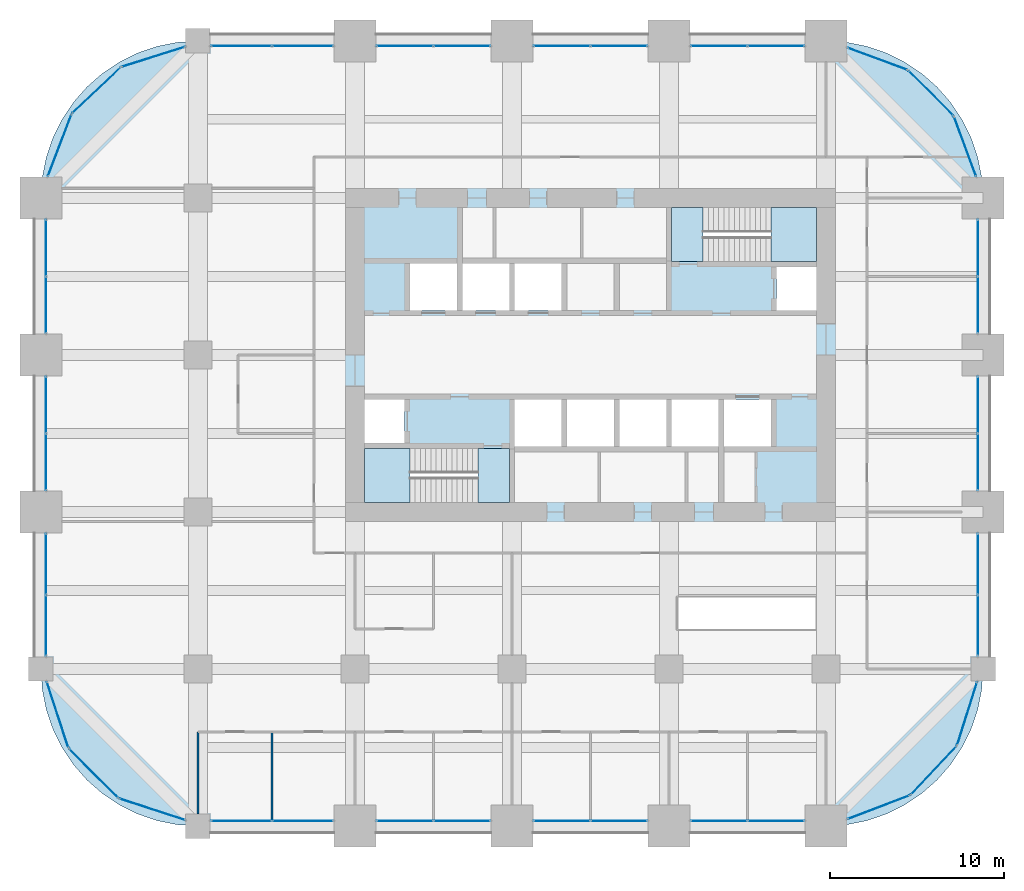
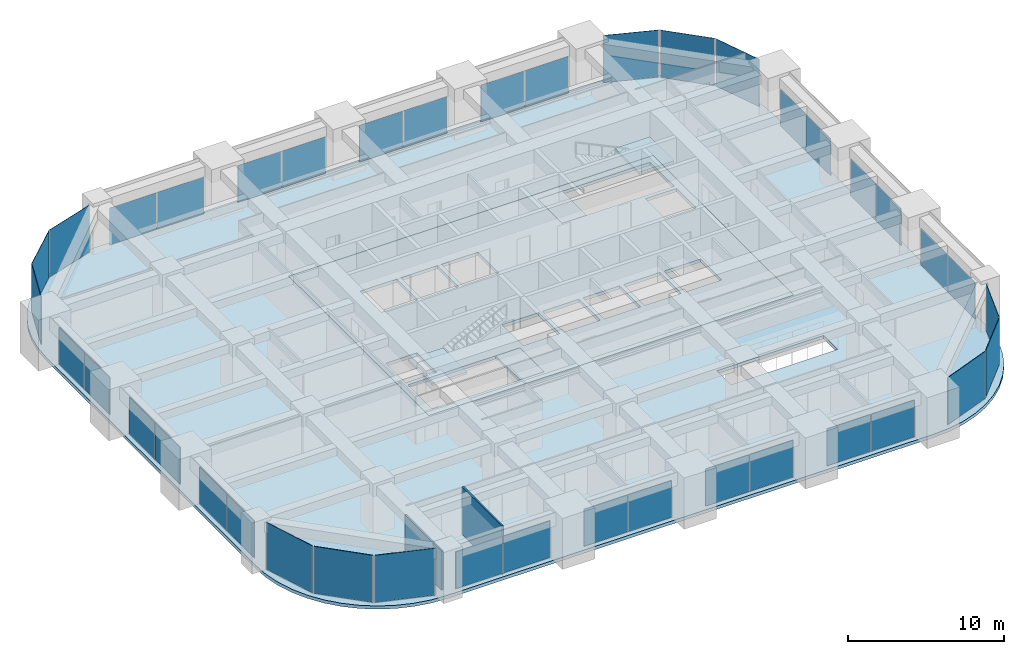
# One storey, part 28 of 33: 40 plates, 6 slabs, 2 walls, 28 elements without a shape of their own.
"""IFC4 building model written with IfcOpenShell, lengths in metres."""

from ifc_helpers import new_model, si_unit, direction, frame, frame_2d, origin, origin_2d, place, context, subcontext, project, spatial, polyline, rectangle, outline, extrude, material, layer, layer_set, type_object, element, aggregate, save


model = new_model("IFC4")

# Units and contexts
model_context = context("Model", 3, precision=1e-05, world=origin(), true_north=direction((0.0, 1.0)))
body_context = subcontext(model_context, "Body", "Model", "MODEL_VIEW")
ifc_project = project(units=[si_unit("LENGTHUNIT", "METRE"), si_unit("AREAUNIT", "SQUARE_METRE"), si_unit("VOLUMEUNIT", "CUBIC_METRE"), si_unit("PLANEANGLEUNIT", "RADIAN"), si_unit("MASSUNIT", "GRAM", prefix="KILO")], contexts=[model_context])

# Site, building, storey
site_placement = place(None, origin())
site = spatial("IfcSite", under=ifc_project, at=site_placement, CompositionType="ELEMENT")
building_placement = place(site_placement, origin())
building = spatial("IfcBuilding", under=site, at=building_placement, Name="Zorevar Civic Tower", CompositionType="ELEMENT")
storey_placement = place(building_placement, frame((0.0, 0.0, 178.199951171875)))
storey = spatial("IfcBuildingStorey", under=building, at=storey_placement, Name="L43", CompositionType="ELEMENT", Elevation=178.199951171875)

# Curtain wall, plates
ifc_material_1 = material(Name="Dark grey solar-control glass in black aluminium frame", Category="aluminium")
curtain_wall_type = type_object("IfcCurtainWallType", Name="Curtain wall CW4 high zone", PredefinedType="NOTDEFINED", material=ifc_material_1)
curtain_wall_1_placement = place(storey_placement, origin())
curtain_wall_1 = element("IfcCurtainWall", 1, at=curtain_wall_1_placement, inside=storey, type_object=curtain_wall_type, Name="CW4 L43", PredefinedType="NOTDEFINED")
ifc_material_2 = material(Name="Dark grey solar-control glass", Category="glass")
ifc_layer_1 = layer(ifc_material_2, 0.028076171875)
ifc_layer_set_1 = layer_set([ifc_layer_1], Name="CW4 panel 28")
plate_type = type_object("IfcPlateType", Name="CW4 panel 28", PredefinedType="CURTAIN_PANEL", material=ifc_layer_set_1)
plate_1_placement = place(storey_placement, frame((11.489990234375, 0.300048828125, 0.06005859375), z_axis=(0.0, 0.0, 1.0), x_axis=(1.0, 0.0, 0.0)))
plate_1 = element("IfcPlate", 2, at=plate_1_placement, type_object=plate_type, Name="CW4 panel 1.1", PredefinedType="CURTAIN_PANEL", context=body_context, shape_type="SweptSolid", body=[
    extrude(rectangle(XDim=3.4599609375, YDim=0.028076171875, at=origin_2d()), origin(), (0.0, 0.0, 1.0), 2.889892578125),
])
plate_2_placement = place(storey_placement, frame((15.010009765625, 0.300048828125, 0.06005859375), z_axis=(0.0, 0.0, 1.0), x_axis=(1.0, 0.0, 0.0)))
plate_2 = element("IfcPlate", 3, at=plate_2_placement, type_object=plate_type, Name="CW4 panel 2.1", PredefinedType="CURTAIN_PANEL", context=body_context, shape_type="SweptSolid", body=[
    extrude(rectangle(XDim=3.4599609375, YDim=0.028076171875, at=origin_2d()), origin(), (0.0, 0.0, 1.0), 2.889892578125),
])
aggregate(curtain_wall_1, [plate_1, plate_2])

curtain_wall_2_placement = place(storey_placement, origin())
curtain_wall_2 = element("IfcCurtainWall", 4, at=curtain_wall_2_placement, inside=storey, type_object=curtain_wall_type, Name="CW4 L43", PredefinedType="NOTDEFINED")
plate_3_placement = place(storey_placement, frame((11.489990234375, 44.699951171875, 0.06005859375), z_axis=(0.0, 0.0, 1.0), x_axis=(1.0, 0.0, 0.0)))
plate_3 = element("IfcPlate", 5, at=plate_3_placement, type_object=plate_type, Name="CW4 panel 1.1", PredefinedType="CURTAIN_PANEL", context=body_context, shape_type="SweptSolid", body=[
    extrude(rectangle(XDim=3.4599609375, YDim=0.028076171875, at=origin_2d()), origin(), (0.0, 0.0, 1.0), 2.889892578125),
])
plate_4_placement = place(storey_placement, frame((15.010009765625, 44.699951171875, 0.06005859375), z_axis=(0.0, 0.0, 1.0), x_axis=(1.0, 0.0, 0.0)))
plate_4 = element("IfcPlate", 6, at=plate_4_placement, type_object=plate_type, Name="CW4 panel 2.1", PredefinedType="CURTAIN_PANEL", context=body_context, shape_type="SweptSolid", body=[
    extrude(rectangle(XDim=3.4599609375, YDim=0.028076171875, at=origin_2d()), origin(), (0.0, 0.0, 1.0), 2.889892578125),
])
aggregate(curtain_wall_2, [plate_3, plate_4])

curtain_wall_3_placement = place(storey_placement, origin())
curtain_wall_3 = element("IfcCurtainWall", 7, at=curtain_wall_3_placement, inside=storey, type_object=curtain_wall_type, Name="CW4 L43", PredefinedType="NOTDEFINED")
plate_5_placement = place(storey_placement, frame((20.864990234375, 0.300048828125, 0.06005859375), z_axis=(0.0, 0.0, 1.0), x_axis=(1.0, 0.0, 0.0)))
plate_5 = element("IfcPlate", 8, at=plate_5_placement, type_object=plate_type, Name="CW4 panel 1.1", PredefinedType="CURTAIN_PANEL", context=body_context, shape_type="SweptSolid", body=[
    extrude(rectangle(XDim=3.2099609375, YDim=0.028076171875, at=origin_2d()), origin(), (0.0, 0.0, 1.0), 2.889892578125),
])
plate_6_placement = place(storey_placement, frame((24.135009765625, 0.300048828125, 0.06005859375), z_axis=(0.0, 0.0, 1.0), x_axis=(1.0, 0.0, 0.0)))
plate_6 = element("IfcPlate", 9, at=plate_6_placement, type_object=plate_type, Name="CW4 panel 2.1", PredefinedType="CURTAIN_PANEL", context=body_context, shape_type="SweptSolid", body=[
    extrude(rectangle(XDim=3.2099609375, YDim=0.028076171875, at=origin_2d()), origin(), (0.0, 0.0, 1.0), 2.889892578125),
])
aggregate(curtain_wall_3, [plate_5, plate_6])

curtain_wall_4_placement = place(storey_placement, origin())
curtain_wall_4 = element("IfcCurtainWall", 10, at=curtain_wall_4_placement, inside=storey, type_object=curtain_wall_type, Name="CW4 L43", PredefinedType="NOTDEFINED")
plate_7_placement = place(storey_placement, frame((20.864990234375, 44.699951171875, 0.06005859375), z_axis=(0.0, 0.0, 1.0), x_axis=(1.0, 0.0, 0.0)))
plate_7 = element("IfcPlate", 11, at=plate_7_placement, type_object=plate_type, Name="CW4 panel 1.1", PredefinedType="CURTAIN_PANEL", context=body_context, shape_type="SweptSolid", body=[
    extrude(rectangle(XDim=3.2099609375, YDim=0.028076171875, at=origin_2d()), origin(), (0.0, 0.0, 1.0), 2.889892578125),
])
plate_8_placement = place(storey_placement, frame((24.135009765625, 44.699951171875, 0.06005859375), z_axis=(0.0, 0.0, 1.0), x_axis=(1.0, 0.0, 0.0)))
plate_8 = element("IfcPlate", 12, at=plate_8_placement, type_object=plate_type, Name="CW4 panel 2.1", PredefinedType="CURTAIN_PANEL", context=body_context, shape_type="SweptSolid", body=[
    extrude(rectangle(XDim=3.2099609375, YDim=0.028076171875, at=origin_2d()), origin(), (0.0, 0.0, 1.0), 2.889892578125),
])
aggregate(curtain_wall_4, [plate_7, plate_8])

curtain_wall_5_placement = place(storey_placement, origin())
curtain_wall_5 = element("IfcCurtainWall", 13, at=curtain_wall_5_placement, inside=storey, type_object=curtain_wall_type, Name="CW4 L43", PredefinedType="NOTDEFINED")
plate_9_placement = place(storey_placement, frame((29.864990234375, 0.300048828125, 0.06005859375), z_axis=(0.0, 0.0, 1.0), x_axis=(1.0, 0.0, 0.0)))
plate_9 = element("IfcPlate", 14, at=plate_9_placement, type_object=plate_type, Name="CW4 panel 1.1", PredefinedType="CURTAIN_PANEL", context=body_context, shape_type="SweptSolid", body=[
    extrude(rectangle(XDim=3.2099609375, YDim=0.028076171875, at=origin_2d()), origin(), (0.0, 0.0, 1.0), 2.889892578125),
])
plate_10_placement = place(storey_placement, frame((33.135009765625, 0.300048828125, 0.06005859375), z_axis=(0.0, 0.0, 1.0), x_axis=(1.0, 0.0, 0.0)))
plate_10 = element("IfcPlate", 15, at=plate_10_placement, type_object=plate_type, Name="CW4 panel 2.1", PredefinedType="CURTAIN_PANEL", context=body_context, shape_type="SweptSolid", body=[
    extrude(rectangle(XDim=3.2099609375, YDim=0.028076171875, at=origin_2d()), origin(), (0.0, 0.0, 1.0), 2.889892578125),
])
aggregate(curtain_wall_5, [plate_9, plate_10])

curtain_wall_6_placement = place(storey_placement, origin())
curtain_wall_6 = element("IfcCurtainWall", 16, at=curtain_wall_6_placement, inside=storey, type_object=curtain_wall_type, Name="CW4 L43", PredefinedType="NOTDEFINED")
plate_11_placement = place(storey_placement, frame((29.864990234375, 44.699951171875, 0.06005859375), z_axis=(0.0, 0.0, 1.0), x_axis=(1.0, 0.0, 0.0)))
plate_11 = element("IfcPlate", 17, at=plate_11_placement, type_object=plate_type, Name="CW4 panel 1.1", PredefinedType="CURTAIN_PANEL", context=body_context, shape_type="SweptSolid", body=[
    extrude(rectangle(XDim=3.2099609375, YDim=0.028076171875, at=origin_2d()), origin(), (0.0, 0.0, 1.0), 2.889892578125),
])
plate_12_placement = place(storey_placement, frame((33.135009765625, 44.699951171875, 0.06005859375), z_axis=(0.0, 0.0, 1.0), x_axis=(1.0, 0.0, 0.0)))
plate_12 = element("IfcPlate", 18, at=plate_12_placement, type_object=plate_type, Name="CW4 panel 2.1", PredefinedType="CURTAIN_PANEL", context=body_context, shape_type="SweptSolid", body=[
    extrude(rectangle(XDim=3.2099609375, YDim=0.028076171875, at=origin_2d()), origin(), (0.0, 0.0, 1.0), 2.889892578125),
])
aggregate(curtain_wall_6, [plate_11, plate_12])

curtain_wall_7_placement = place(storey_placement, origin())
curtain_wall_7 = element("IfcCurtainWall", 19, at=curtain_wall_7_placement, inside=storey, type_object=curtain_wall_type, Name="CW4 L43", PredefinedType="NOTDEFINED")
plate_13_placement = place(storey_placement, frame((38.864990234375, 0.300048828125, 0.06005859375), z_axis=(0.0, 0.0, 1.0), x_axis=(1.0, 0.0, 0.0)))
plate_13 = element("IfcPlate", 20, at=plate_13_placement, type_object=plate_type, Name="CW4 panel 1.1", PredefinedType="CURTAIN_PANEL", context=body_context, shape_type="SweptSolid", body=[
    extrude(rectangle(XDim=3.2099609375, YDim=0.028076171875, at=origin_2d()), origin(), (0.0, 0.0, 1.0), 2.889892578125),
])
plate_14_placement = place(storey_placement, frame((42.135009765625, 0.300048828125, 0.06005859375), z_axis=(0.0, 0.0, 1.0), x_axis=(1.0, 0.0, 0.0)))
plate_14 = element("IfcPlate", 21, at=plate_14_placement, type_object=plate_type, Name="CW4 panel 2.1", PredefinedType="CURTAIN_PANEL", context=body_context, shape_type="SweptSolid", body=[
    extrude(rectangle(XDim=3.2099609375, YDim=0.028076171875, at=origin_2d()), origin(), (0.0, 0.0, 1.0), 2.889892578125),
])
aggregate(curtain_wall_7, [plate_13, plate_14])

curtain_wall_8_placement = place(storey_placement, origin())
curtain_wall_8 = element("IfcCurtainWall", 22, at=curtain_wall_8_placement, inside=storey, type_object=curtain_wall_type, Name="CW4 L43", PredefinedType="NOTDEFINED")
plate_15_placement = place(storey_placement, frame((38.864990234375, 44.699951171875, 0.06005859375), z_axis=(0.0, 0.0, 1.0), x_axis=(1.0, 0.0, 0.0)))
plate_15 = element("IfcPlate", 23, at=plate_15_placement, type_object=plate_type, Name="CW4 panel 1.1", PredefinedType="CURTAIN_PANEL", context=body_context, shape_type="SweptSolid", body=[
    extrude(rectangle(XDim=3.2099609375, YDim=0.028076171875, at=origin_2d()), origin(), (0.0, 0.0, 1.0), 2.889892578125),
])
plate_16_placement = place(storey_placement, frame((42.135009765625, 44.699951171875, 0.06005859375), z_axis=(0.0, 0.0, 1.0), x_axis=(1.0, 0.0, 0.0)))
plate_16 = element("IfcPlate", 24, at=plate_16_placement, type_object=plate_type, Name="CW4 panel 2.1", PredefinedType="CURTAIN_PANEL", context=body_context, shape_type="SweptSolid", body=[
    extrude(rectangle(XDim=3.2099609375, YDim=0.028076171875, at=origin_2d()), origin(), (0.0, 0.0, 1.0), 2.889892578125),
])
aggregate(curtain_wall_8, [plate_15, plate_16])

curtain_wall_9_placement = place(storey_placement, origin())
curtain_wall_9 = element("IfcCurtainWall", 25, at=curtain_wall_9_placement, inside=storey, type_object=curtain_wall_type, Name="CW4 L43", PredefinedType="NOTDEFINED")
plate_17_placement = place(storey_placement, frame((0.300048828125, 11.489990234375, 0.06005859375), z_axis=(0.0, 0.0, 1.0), x_axis=(0.0, 1.0, 0.0)))
plate_17 = element("IfcPlate", 26, at=plate_17_placement, type_object=plate_type, Name="CW4 panel 1.1", PredefinedType="CURTAIN_PANEL", context=body_context, shape_type="SweptSolid", body=[
    extrude(rectangle(XDim=3.4599609375, YDim=0.028076171875, at=origin_2d()), origin(), (0.0, 0.0, 1.0), 2.889892578125),
])
plate_18_placement = place(storey_placement, frame((0.300048828125, 15.010009765625, 0.06005859375), z_axis=(0.0, 0.0, 1.0), x_axis=(0.0, 1.0, 0.0)))
plate_18 = element("IfcPlate", 27, at=plate_18_placement, type_object=plate_type, Name="CW4 panel 2.1", PredefinedType="CURTAIN_PANEL", context=body_context, shape_type="SweptSolid", body=[
    extrude(rectangle(XDim=3.4599609375, YDim=0.028076171875, at=origin_2d()), origin(), (0.0, 0.0, 1.0), 2.889892578125),
])
aggregate(curtain_wall_9, [plate_17, plate_18])

curtain_wall_10_placement = place(storey_placement, origin())
curtain_wall_10 = element("IfcCurtainWall", 28, at=curtain_wall_10_placement, inside=storey, type_object=curtain_wall_type, Name="CW4 L43", PredefinedType="NOTDEFINED")
plate_19_placement = place(storey_placement, frame((53.699951171875, 11.489990234375, 0.06005859375), z_axis=(0.0, 0.0, 1.0), x_axis=(0.0, 1.0, 0.0)))
plate_19 = element("IfcPlate", 29, at=plate_19_placement, type_object=plate_type, Name="CW4 panel 1.1", PredefinedType="CURTAIN_PANEL", context=body_context, shape_type="SweptSolid", body=[
    extrude(rectangle(XDim=3.4599609375, YDim=0.028076171875, at=origin_2d()), origin(), (0.0, 0.0, 1.0), 2.889892578125),
])
plate_20_placement = place(storey_placement, frame((53.699951171875, 15.010009765625, 0.06005859375), z_axis=(0.0, 0.0, 1.0), x_axis=(0.0, 1.0, 0.0)))
plate_20 = element("IfcPlate", 30, at=plate_20_placement, type_object=plate_type, Name="CW4 panel 2.1", PredefinedType="CURTAIN_PANEL", context=body_context, shape_type="SweptSolid", body=[
    extrude(rectangle(XDim=3.4599609375, YDim=0.028076171875, at=origin_2d()), origin(), (0.0, 0.0, 1.0), 2.889892578125),
])
aggregate(curtain_wall_10, [plate_19, plate_20])

curtain_wall_11_placement = place(storey_placement, origin())
curtain_wall_11 = element("IfcCurtainWall", 31, at=curtain_wall_11_placement, inside=storey, type_object=curtain_wall_type, Name="CW4 L43", PredefinedType="NOTDEFINED")
plate_21_placement = place(storey_placement, frame((0.300048828125, 20.864990234375, 0.06005859375), z_axis=(0.0, 0.0, 1.0), x_axis=(0.0, 1.0, 0.0)))
plate_21 = element("IfcPlate", 32, at=plate_21_placement, type_object=plate_type, Name="CW4 panel 1.1", PredefinedType="CURTAIN_PANEL", context=body_context, shape_type="SweptSolid", body=[
    extrude(rectangle(XDim=3.2099609375, YDim=0.028076171875, at=origin_2d()), origin(), (0.0, 0.0, 1.0), 2.889892578125),
])
plate_22_placement = place(storey_placement, frame((0.300048828125, 24.135009765625, 0.06005859375), z_axis=(0.0, 0.0, 1.0), x_axis=(0.0, 1.0, 0.0)))
plate_22 = element("IfcPlate", 33, at=plate_22_placement, type_object=plate_type, Name="CW4 panel 2.1", PredefinedType="CURTAIN_PANEL", context=body_context, shape_type="SweptSolid", body=[
    extrude(rectangle(XDim=3.2099609375, YDim=0.028076171875, at=origin_2d()), origin(), (0.0, 0.0, 1.0), 2.889892578125),
])
aggregate(curtain_wall_11, [plate_21, plate_22])

curtain_wall_12_placement = place(storey_placement, origin())
curtain_wall_12 = element("IfcCurtainWall", 34, at=curtain_wall_12_placement, inside=storey, type_object=curtain_wall_type, Name="CW4 L43", PredefinedType="NOTDEFINED")
plate_23_placement = place(storey_placement, frame((53.699951171875, 20.864990234375, 0.06005859375), z_axis=(0.0, 0.0, 1.0), x_axis=(0.0, 1.0, 0.0)))
plate_23 = element("IfcPlate", 35, at=plate_23_placement, type_object=plate_type, Name="CW4 panel 1.1", PredefinedType="CURTAIN_PANEL", context=body_context, shape_type="SweptSolid", body=[
    extrude(rectangle(XDim=3.2099609375, YDim=0.028076171875, at=origin_2d()), origin(), (0.0, 0.0, 1.0), 2.889892578125),
])
plate_24_placement = place(storey_placement, frame((53.699951171875, 24.135009765625, 0.06005859375), z_axis=(0.0, 0.0, 1.0), x_axis=(0.0, 1.0, 0.0)))
plate_24 = element("IfcPlate", 36, at=plate_24_placement, type_object=plate_type, Name="CW4 panel 2.1", PredefinedType="CURTAIN_PANEL", context=body_context, shape_type="SweptSolid", body=[
    extrude(rectangle(XDim=3.2099609375, YDim=0.028076171875, at=origin_2d()), origin(), (0.0, 0.0, 1.0), 2.889892578125),
])
aggregate(curtain_wall_12, [plate_23, plate_24])

curtain_wall_13_placement = place(storey_placement, origin())
curtain_wall_13 = element("IfcCurtainWall", 37, at=curtain_wall_13_placement, inside=storey, type_object=curtain_wall_type, Name="CW4 L43", PredefinedType="NOTDEFINED")
plate_25_placement = place(storey_placement, frame((0.300048828125, 29.864990234375, 0.06005859375), z_axis=(0.0, 0.0, 1.0), x_axis=(0.0, 1.0, 0.0)))
plate_25 = element("IfcPlate", 38, at=plate_25_placement, type_object=plate_type, Name="CW4 panel 1.1", PredefinedType="CURTAIN_PANEL", context=body_context, shape_type="SweptSolid", body=[
    extrude(rectangle(XDim=3.2099609375, YDim=0.028076171875, at=origin_2d()), origin(), (0.0, 0.0, 1.0), 2.889892578125),
])
plate_26_placement = place(storey_placement, frame((0.300048828125, 33.135009765625, 0.06005859375), z_axis=(0.0, 0.0, 1.0), x_axis=(0.0, 1.0, 0.0)))
plate_26 = element("IfcPlate", 39, at=plate_26_placement, type_object=plate_type, Name="CW4 panel 2.1", PredefinedType="CURTAIN_PANEL", context=body_context, shape_type="SweptSolid", body=[
    extrude(rectangle(XDim=3.2099609375, YDim=0.028076171875, at=origin_2d()), origin(), (0.0, 0.0, 1.0), 2.889892578125),
])
aggregate(curtain_wall_13, [plate_25, plate_26])

curtain_wall_14_placement = place(storey_placement, origin())
curtain_wall_14 = element("IfcCurtainWall", 40, at=curtain_wall_14_placement, inside=storey, type_object=curtain_wall_type, Name="CW4 L43", PredefinedType="NOTDEFINED")
plate_27_placement = place(storey_placement, frame((53.699951171875, 29.864990234375, 0.06005859375), z_axis=(0.0, 0.0, 1.0), x_axis=(0.0, 1.0, 0.0)))
plate_27 = element("IfcPlate", 41, at=plate_27_placement, type_object=plate_type, Name="CW4 panel 1.1", PredefinedType="CURTAIN_PANEL", context=body_context, shape_type="SweptSolid", body=[
    extrude(rectangle(XDim=3.2099609375, YDim=0.028076171875, at=origin_2d()), origin(), (0.0, 0.0, 1.0), 2.889892578125),
])
plate_28_placement = place(storey_placement, frame((53.699951171875, 33.135009765625, 0.06005859375), z_axis=(0.0, 0.0, 1.0), x_axis=(0.0, 1.0, 0.0)))
plate_28 = element("IfcPlate", 42, at=plate_28_placement, type_object=plate_type, Name="CW4 panel 2.1", PredefinedType="CURTAIN_PANEL", context=body_context, shape_type="SweptSolid", body=[
    extrude(rectangle(XDim=3.2099609375, YDim=0.028076171875, at=origin_2d()), origin(), (0.0, 0.0, 1.0), 2.889892578125),
])
aggregate(curtain_wall_14, [plate_27, plate_28])

# Curtain wall, plate
curtain_wall_15_placement = place(storey_placement, origin())
curtain_wall_15 = element("IfcCurtainWall", 43, at=curtain_wall_15_placement, inside=storey, type_object=curtain_wall_type, Name="CW4 L43", PredefinedType="NOTDEFINED")
plate_29_placement = place(storey_placement, frame((48.0166015625, 1.07470703125, 0.06005859375), z_axis=(0.0, 0.0, 1.0), x_axis=(0.93458842801, 0.355730895803, 0.0)))
plate_29 = element("IfcPlate", 44, at=plate_29_placement, type_object=plate_type, Name="CW4 panel 1.1", PredefinedType="CURTAIN_PANEL", context=body_context, shape_type="SweptSolid", body=[
    extrude(rectangle(XDim=3.767333984375, YDim=0.028076171875, at=origin_2d()), origin(), (0.0, 0.0, 1.0), 3.68994140625),
])
aggregate(curtain_wall_15, [plate_29])

curtain_wall_16_placement = place(storey_placement, origin())
curtain_wall_16 = element("IfcCurtainWall", 45, at=curtain_wall_16_placement, inside=storey, type_object=curtain_wall_type, Name="CW4 L43", PredefinedType="NOTDEFINED")
plate_30_placement = place(storey_placement, frame((51.167236328125, 3.179443359375, 0.06005859375), z_axis=(0.0, 0.0, 1.0), x_axis=(0.686377907265, 0.727245053898, 0.0)))
plate_30 = element("IfcPlate", 46, at=plate_30_placement, type_object=plate_type, Name="CW4 panel 1.1", PredefinedType="CURTAIN_PANEL", context=body_context, shape_type="SweptSolid", body=[
    extrude(rectangle(XDim=3.767333984375, YDim=0.028076171875, at=origin_2d()), origin(), (0.0, 0.0, 1.0), 3.68994140625),
])
aggregate(curtain_wall_16, [plate_30])

curtain_wall_17_placement = place(storey_placement, origin())
curtain_wall_17 = element("IfcCurtainWall", 47, at=curtain_wall_17_placement, inside=storey, type_object=curtain_wall_type, Name="CW4 L43", PredefinedType="NOTDEFINED")
plate_31_placement = place(storey_placement, frame((53.08642578125, 6.446533203125, 0.06005859375), z_axis=(0.0, 0.0, 1.0), x_axis=(0.301108296077, 0.953589950678, 0.0)))
plate_31 = element("IfcPlate", 48, at=plate_31_placement, type_object=plate_type, Name="CW4 panel 1.1", PredefinedType="CURTAIN_PANEL", context=body_context, shape_type="SweptSolid", body=[
    extrude(rectangle(XDim=3.767333984375, YDim=0.028076171875, at=origin_2d()), origin(), (0.0, 0.0, 1.0), 3.68994140625),
])
aggregate(curtain_wall_17, [plate_31])

curtain_wall_18_placement = place(storey_placement, origin())
curtain_wall_18 = element("IfcCurtainWall", 49, at=curtain_wall_18_placement, inside=storey, type_object=curtain_wall_type, Name="CW4 L43", PredefinedType="NOTDEFINED")
plate_32_placement = place(storey_placement, frame((52.97119140625, 38.9462890625, 0.06005859375), z_axis=(0.0, 0.0, 1.0), x_axis=(-0.346704012033, 0.937974588163, 0.0)))
plate_32 = element("IfcPlate", 50, at=plate_32_placement, type_object=plate_type, Name="CW4 panel 1.1", PredefinedType="CURTAIN_PANEL", context=body_context, shape_type="SweptSolid", body=[
    extrude(rectangle(XDim=3.603759765625, YDim=0.028076171875, at=origin_2d()), origin(), (0.0, 0.0, 1.0), 3.68994140625),
])
aggregate(curtain_wall_18, [plate_32])

curtain_wall_19_placement = place(storey_placement, origin())
curtain_wall_19 = element("IfcCurtainWall", 51, at=curtain_wall_19_placement, inside=storey, type_object=curtain_wall_type, Name="CW4 L43", PredefinedType="NOTDEFINED")
plate_33_placement = place(storey_placement, frame((51.00927734375, 42.00927734375, 0.06005859375), z_axis=(0.0, 0.0, 1.0), x_axis=(-0.707106781187, 0.707106781187, 0.0)))
plate_33 = element("IfcPlate", 52, at=plate_33_placement, type_object=plate_type, Name="CW4 panel 1.1", PredefinedType="CURTAIN_PANEL", context=body_context, shape_type="SweptSolid", body=[
    extrude(rectangle(XDim=3.603759765625, YDim=0.028076171875, at=origin_2d()), origin(), (0.0, 0.0, 1.0), 3.68994140625),
])
aggregate(curtain_wall_19, [plate_33])

curtain_wall_20_placement = place(storey_placement, origin())
curtain_wall_20 = element("IfcCurtainWall", 53, at=curtain_wall_20_placement, inside=storey, type_object=curtain_wall_type, Name="CW4 L43", PredefinedType="NOTDEFINED")
plate_34_placement = place(storey_placement, frame((47.9462890625, 43.97119140625, 0.06005859375), z_axis=(0.0, 0.0, 1.0), x_axis=(-0.937974588163, 0.346704012033, 0.0)))
plate_34 = element("IfcPlate", 54, at=plate_34_placement, type_object=plate_type, Name="CW4 panel 1.1", PredefinedType="CURTAIN_PANEL", context=body_context, shape_type="SweptSolid", body=[
    extrude(rectangle(XDim=3.603759765625, YDim=0.028076171875, at=origin_2d()), origin(), (0.0, 0.0, 1.0), 3.68994140625),
])
aggregate(curtain_wall_20, [plate_34])

curtain_wall_21_placement = place(storey_placement, origin())
curtain_wall_21 = element("IfcCurtainWall", 55, at=curtain_wall_21_placement, inside=storey, type_object=curtain_wall_type, Name="CW4 L43", PredefinedType="NOTDEFINED")
plate_35_placement = place(storey_placement, frame((6.446533203125, 44.08642578125, 0.06005859375), z_axis=(0.0, 0.0, 1.0), x_axis=(-0.953589950678, -0.301108296077, 0.0)))
plate_35 = element("IfcPlate", 56, at=plate_35_placement, type_object=plate_type, Name="CW4 panel 1.1", PredefinedType="CURTAIN_PANEL", context=body_context, shape_type="SweptSolid", body=[
    extrude(rectangle(XDim=3.767333984375, YDim=0.028076171875, at=origin_2d()), origin(), (0.0, 0.0, 1.0), 3.68994140625),
])
aggregate(curtain_wall_21, [plate_35])

curtain_wall_22_placement = place(storey_placement, origin())
curtain_wall_22 = element("IfcCurtainWall", 57, at=curtain_wall_22_placement, inside=storey, type_object=curtain_wall_type, Name="CW4 L43", PredefinedType="NOTDEFINED")
plate_36_placement = place(storey_placement, frame((3.179443359375, 42.167236328125, 0.06005859375), z_axis=(0.0, 0.0, 1.0), x_axis=(-0.727245053898, -0.686377907265, 0.0)))
plate_36 = element("IfcPlate", 58, at=plate_36_placement, type_object=plate_type, Name="CW4 panel 1.1", PredefinedType="CURTAIN_PANEL", context=body_context, shape_type="SweptSolid", body=[
    extrude(rectangle(XDim=3.767333984375, YDim=0.028076171875, at=origin_2d()), origin(), (0.0, 0.0, 1.0), 3.68994140625),
])
aggregate(curtain_wall_22, [plate_36])

curtain_wall_23_placement = place(storey_placement, origin())
curtain_wall_23 = element("IfcCurtainWall", 59, at=curtain_wall_23_placement, inside=storey, type_object=curtain_wall_type, Name="CW4 L43", PredefinedType="NOTDEFINED")
plate_37_placement = place(storey_placement, frame((1.07470703125, 39.0166015625, 0.06005859375), z_axis=(0.0, 0.0, 1.0), x_axis=(-0.355730895803, -0.93458842801, 0.0)))
plate_37 = element("IfcPlate", 60, at=plate_37_placement, type_object=plate_type, Name="CW4 panel 1.1", PredefinedType="CURTAIN_PANEL", context=body_context, shape_type="SweptSolid", body=[
    extrude(rectangle(XDim=3.767333984375, YDim=0.028076171875, at=origin_2d()), origin(), (0.0, 0.0, 1.0), 3.68994140625),
])
aggregate(curtain_wall_23, [plate_37])

curtain_wall_24_placement = place(storey_placement, origin())
curtain_wall_24 = element("IfcCurtainWall", 61, at=curtain_wall_24_placement, inside=storey, type_object=curtain_wall_type, Name="CW4 L43", PredefinedType="NOTDEFINED")
plate_38_placement = place(storey_placement, frame((0.956787109375, 6.374755859375, 0.06005859375), z_axis=(0.0, 0.0, 1.0), x_axis=(0.310281419775, -0.950644749916, 0.0)))
plate_38 = element("IfcPlate", 62, at=plate_38_placement, type_object=plate_type, Name="CW4 panel 1.1", PredefinedType="CURTAIN_PANEL", context=body_context, shape_type="SweptSolid", body=[
    extrude(rectangle(XDim=3.9306640625, YDim=0.028076171875, at=origin_2d()), origin(), (0.0, 0.0, 1.0), 3.68994140625),
])
aggregate(curtain_wall_24, [plate_38])

curtain_wall_25_placement = place(storey_placement, origin())
curtain_wall_25 = element("IfcCurtainWall", 63, at=curtain_wall_25_placement, inside=storey, type_object=curtain_wall_type, Name="CW4 L43", PredefinedType="NOTDEFINED")
plate_39_placement = place(storey_placement, frame((3.01708984375, 3.01708984375, 0.06005859375), z_axis=(0.0, 0.0, 1.0), x_axis=(0.707106781187, -0.707106781187, 0.0)))
plate_39 = element("IfcPlate", 64, at=plate_39_placement, type_object=plate_type, Name="CW4 panel 1.1", PredefinedType="CURTAIN_PANEL", context=body_context, shape_type="SweptSolid", body=[
    extrude(rectangle(XDim=3.9306640625, YDim=0.028076171875, at=origin_2d()), origin(), (0.0, 0.0, 1.0), 3.68994140625),
])
aggregate(curtain_wall_25, [plate_39])

curtain_wall_26_placement = place(storey_placement, origin())
curtain_wall_26 = element("IfcCurtainWall", 65, at=curtain_wall_26_placement, inside=storey, type_object=curtain_wall_type, Name="CW4 L43", PredefinedType="NOTDEFINED")
plate_40_placement = place(storey_placement, frame((6.374755859375, 0.956787109375, 0.06005859375), z_axis=(0.0, 0.0, 1.0), x_axis=(0.950644749916, -0.310281419775, 0.0)))
plate_40 = element("IfcPlate", 66, at=plate_40_placement, type_object=plate_type, Name="CW4 panel 1.1", PredefinedType="CURTAIN_PANEL", context=body_context, shape_type="SweptSolid", body=[
    extrude(rectangle(XDim=3.9306640625, YDim=0.028076171875, at=origin_2d()), origin(), (0.0, 0.0, 1.0), 3.68994140625),
])
aggregate(curtain_wall_26, [plate_40])

# Slabs
ifc_material_3 = material(Name="Concrete C40/50", Category="concrete")
ifc_layer_2 = layer(ifc_material_3, 0.25)
ifc_layer_set_2 = layer_set([ifc_layer_2], Name="Floor slab 250")
slab_type_1 = type_object("IfcSlabType", Name="Floor slab 250", PredefinedType="FLOOR", material=ifc_layer_set_2)
slab_1_placement = place(storey_placement, frame((0.0, 0.0, -0.25)))
element("IfcSlab", 67, at=slab_1_placement, inside=storey, type_object=slab_type_1, Name="Floor slab L43", PredefinedType="FLOOR", context=body_context, shape_type="SweptSolid", body=[
    extrude(outline(polyline([(45.0, 0.0), (46.1748046875, 0.076904296875), (47.329345703125, 0.306640625), (48.444091796875, 0.68505859375), (49.5, 1.205810546875), (50.478759765625, 1.85986328125), (51.364013671875, 2.635986328125), (52.14013671875, 3.521240234375), (52.794189453125, 4.5), (53.31494140625, 5.555908203125), (53.693359375, 6.670654296875), (53.923095703125, 7.8251953125), (54.0, 9.0), (54.0, 36.0), (53.923095703125, 37.1748046875), (53.693359375, 38.329345703125), (53.31494140625, 39.444091796875), (52.794189453125, 40.5), (52.14013671875, 41.478759765625), (51.364013671875, 42.364013671875), (50.478759765625, 43.14013671875), (49.5, 43.794189453125), (48.444091796875, 44.31494140625), (47.329345703125, 44.693359375), (46.1748046875, 44.923095703125), (45.0, 45.0), (9.0, 45.0), (7.8251953125, 44.923095703125), (6.670654296875, 44.693359375), (5.555908203125, 44.31494140625), (4.5, 43.794189453125), (3.521240234375, 43.14013671875), (2.635986328125, 42.364013671875), (1.85986328125, 41.478759765625), (1.205810546875, 40.5), (0.68505859375, 39.444091796875), (0.306640625, 38.329345703125), (0.076904296875, 37.1748046875), (0.0, 36.0), (0.0, 9.0), (0.076904296875, 7.8251953125), (0.306640625, 6.670654296875), (0.68505859375, 5.555908203125), (1.205810546875, 4.5), (1.85986328125, 3.521240234375), (2.635986328125, 2.635986328125), (3.521240234375, 1.85986328125), (4.5, 1.205810546875), (5.555908203125, 0.68505859375), (6.670654296875, 0.306640625), (7.8251953125, 0.076904296875), (9.0, 0.0), (45.0, 0.0)]), holes=[polyline([(18.0, 18.0), (45.0, 18.0), (45.0, 36.0), (18.0, 36.0), (18.0, 18.0)]), polyline([(36.5, 11.300048828125), (44.39990234375, 11.300048828125), (44.39990234375, 13.10009765625), (36.5, 13.10009765625), (36.5, 11.300048828125)])]), origin(), (0.0, 0.0, 1.0), 0.25),
])
slab_2_placement = place(storey_placement, frame((0.0, 0.0, -0.25)))
element("IfcSlab", 68, at=slab_2_placement, inside=storey, type_object=slab_type_1, Name="Core floor L43", PredefinedType="FLOOR", context=body_context, shape_type="SweptSolid", body=[
    extrude(outline(polyline([(18.0, 18.0), (45.0, 18.0), (45.0, 36.0), (18.0, 36.0), (18.0, 18.0)]), holes=[polyline([(18.550048828125, 18.550048828125), (26.85009765625, 18.550048828125), (26.85009765625, 21.64990234375), (18.550048828125, 21.64990234375), (18.550048828125, 18.550048828125)]), polyline([(36.14990234375, 32.35009765625), (44.449951171875, 32.35009765625), (44.449951171875, 35.449951171875), (36.14990234375, 35.449951171875), (36.14990234375, 32.35009765625)]), polyline([(18.550048828125, 21.949951171875), (20.85009765625, 21.949951171875), (20.85009765625, 24.449951171875), (18.550048828125, 24.449951171875), (18.550048828125, 21.949951171875)]), polyline([(42.14990234375, 29.550048828125), (44.449951171875, 29.550048828125), (44.449951171875, 32.050048828125), (42.14990234375, 32.050048828125), (42.14990234375, 29.550048828125)]), polyline([(27.14990234375, 21.75), (29.85009765625, 21.75), (29.85009765625, 24.449951171875), (27.14990234375, 24.449951171875), (27.14990234375, 21.75)]), polyline([(30.14990234375, 21.75), (32.85009765625, 21.75), (32.85009765625, 24.449951171875), (30.14990234375, 24.449951171875), (30.14990234375, 21.75)]), polyline([(33.14990234375, 21.75), (35.85009765625, 21.75), (35.85009765625, 24.449951171875), (33.14990234375, 24.449951171875), (33.14990234375, 21.75)]), polyline([(27.14990234375, 29.550048828125), (29.85009765625, 29.550048828125), (29.85009765625, 32.25), (27.14990234375, 32.25), (27.14990234375, 29.550048828125)]), polyline([(36.14990234375, 21.75), (38.85009765625, 21.75), (38.85009765625, 24.449951171875), (36.14990234375, 24.449951171875), (36.14990234375, 21.75)]), polyline([(24.14990234375, 29.550048828125), (26.85009765625, 29.550048828125), (26.85009765625, 32.25), (24.14990234375, 32.25), (24.14990234375, 29.550048828125)]), polyline([(39.14990234375, 21.75), (41.85009765625, 21.75), (41.85009765625, 24.449951171875), (39.14990234375, 24.449951171875), (39.14990234375, 21.75)]), polyline([(21.14990234375, 29.550048828125), (23.85009765625, 29.550048828125), (23.85009765625, 32.25), (21.14990234375, 32.25), (21.14990234375, 29.550048828125)])]), origin(), (0.0, 0.0, 1.0), 0.25),
])

# Stair, slabs
ifc_material_4 = material(Name="Precast concrete C40/50", Category="concrete")
stair_type = type_object("IfcStairType", Name="Stair ST 28R", PredefinedType="HALF_TURN_STAIR", material=ifc_material_4)
stair_1_placement = place(storey_placement, origin())
stair_1 = element("IfcStair", 69, at=stair_1_placement, inside=storey, type_object=stair_type, Name="Stair ST1 L43", PredefinedType="HALF_TURN_STAIR")
ifc_material_5 = material(Name="Concrete C40/50", Category="concrete")
ifc_layer_3 = layer(ifc_material_5, 0.199951171875)
ifc_layer_set_3 = layer_set([ifc_layer_3], Name="Stair landing 200")
slab_type_2 = type_object("IfcSlabType", Name="Stair landing 200", PredefinedType="LANDING", material=ifc_layer_set_3)
slab_3_placement = place(storey_placement, frame((0.0, 0.0, -0.199951171875)))
slab_3 = element("IfcSlab", 70, at=slab_3_placement, type_object=slab_type_2, Name="ST1 landing 1", PredefinedType="LANDING", context=body_context, shape_type="SweptSolid", body=[
    extrude(outline(polyline([(25.050048828125, 18.550048828125), (26.85009765625, 18.550048828125), (26.85009765625, 21.64990234375), (25.050048828125, 21.64990234375), (25.050048828125, 18.550048828125)])), origin(), (0.0, 0.0, 1.0), 0.199951171875),
])
slab_4_placement = place(storey_placement, frame((0.0, 0.0, 1.800048828125)))
slab_4 = element("IfcSlab", 71, at=slab_4_placement, type_object=slab_type_2, Name="ST1 landing 2", PredefinedType="LANDING", context=body_context, shape_type="SweptSolid", body=[
    extrude(outline(polyline([(18.550048828125, 18.550048828125), (21.14990234375, 18.550048828125), (21.14990234375, 21.64990234375), (18.550048828125, 21.64990234375), (18.550048828125, 18.550048828125)])), origin(), (0.0, 0.0, 1.0), 0.199951171875),
])
aggregate(stair_1, [slab_3, slab_4])

stair_2_placement = place(storey_placement, origin())
stair_2 = element("IfcStair", 72, at=stair_2_placement, inside=storey, type_object=stair_type, Name="Stair ST2 L43", PredefinedType="HALF_TURN_STAIR")
slab_5_placement = place(storey_placement, frame((0.0, 0.0, -0.199951171875)))
slab_5 = element("IfcSlab", 73, at=slab_5_placement, type_object=slab_type_2, Name="ST2 landing 1", PredefinedType="LANDING", context=body_context, shape_type="SweptSolid", body=[
    extrude(outline(polyline([(37.949951171875, 32.35009765625), (36.14990234375, 32.35009765625), (36.14990234375, 35.449951171875), (37.949951171875, 35.449951171875), (37.949951171875, 32.35009765625)])), origin(), (0.0, 0.0, 1.0), 0.199951171875),
])
slab_6_placement = place(storey_placement, frame((0.0, 0.0, 1.800048828125)))
slab_6 = element("IfcSlab", 74, at=slab_6_placement, type_object=slab_type_2, Name="ST2 landing 2", PredefinedType="LANDING", context=body_context, shape_type="SweptSolid", body=[
    extrude(outline(polyline([(44.449951171875, 32.35009765625), (41.85009765625, 32.35009765625), (41.85009765625, 35.449951171875), (44.449951171875, 35.449951171875), (44.449951171875, 32.35009765625)])), origin(), (0.0, 0.0, 1.0), 0.199951171875),
])
aggregate(stair_2, [slab_5, slab_6])

# Walls
ifc_material_6 = material(Name="Gypsum board on steel studs", Category="steel")
ifc_layer_4 = layer(ifc_material_6, 0.1201171875)
ifc_layer_set_4 = layer_set([ifc_layer_4], Name="Partition 120")
wall_type = type_object("IfcWallType", Name="Partition 120", PredefinedType="PARTITIONING", material=ifc_layer_set_4)
wall_1_placement = place(storey_placement, frame((9.0, 0.699951171875, 0.0), z_axis=(0.0, 0.0, 1.0), x_axis=(0.0, 1.0, 0.0)))
element("IfcWall", 75, at=wall_1_placement, inside=storey, type_object=wall_type, Name="Partition 120 L43", PredefinedType="PARTITIONING", context=body_context, shape_type="SweptSolid", body=[
    extrude(rectangle(XDim=4.699951171875, YDim=0.1201171875, at=frame_2d((2.35009765625, 0.0))), origin(), (0.0, 0.0, 1.0), 3.050048828125),
])
wall_2_placement = place(storey_placement, frame((13.25, 0.31005859375, 0.0), z_axis=(0.0, 0.0, 1.0), x_axis=(0.0, 1.0, 0.0)))
element("IfcWall", 76, at=wall_2_placement, inside=storey, type_object=wall_type, Name="Partition 120 L43", PredefinedType="PARTITIONING", context=body_context, shape_type="SweptSolid", body=[
    extrude(rectangle(XDim=5.08984375, YDim=0.1201171875, at=frame_2d((2.544921875, 0.0))), origin(), (0.0, 0.0, 1.0), 3.75),
])

save(model, "model.ifc")
